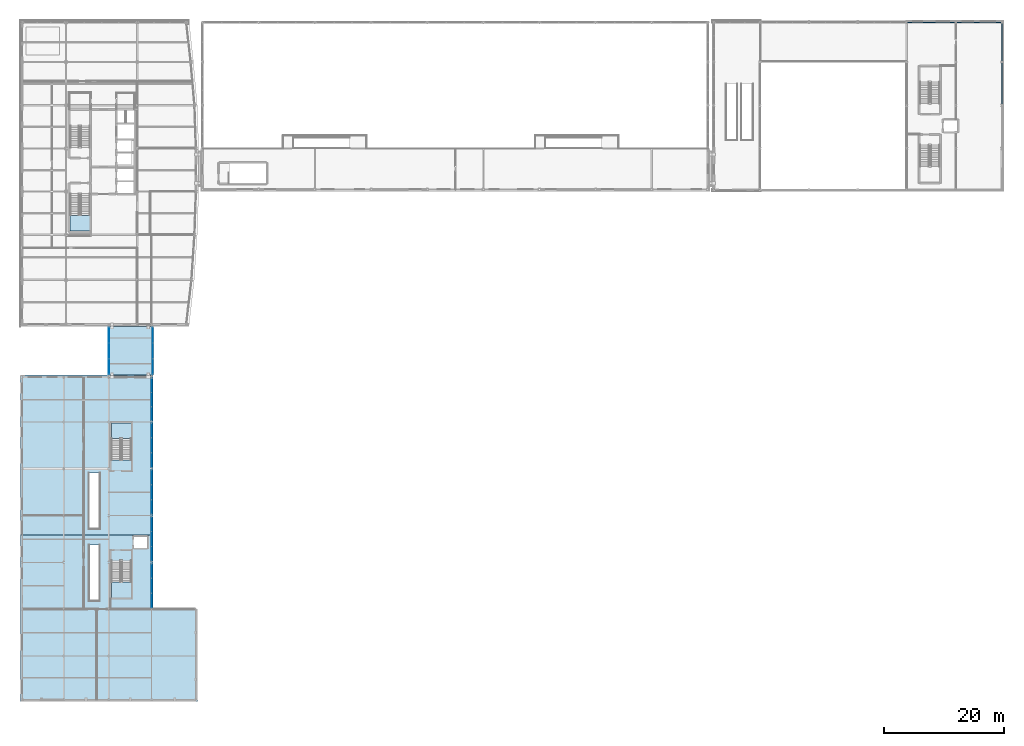
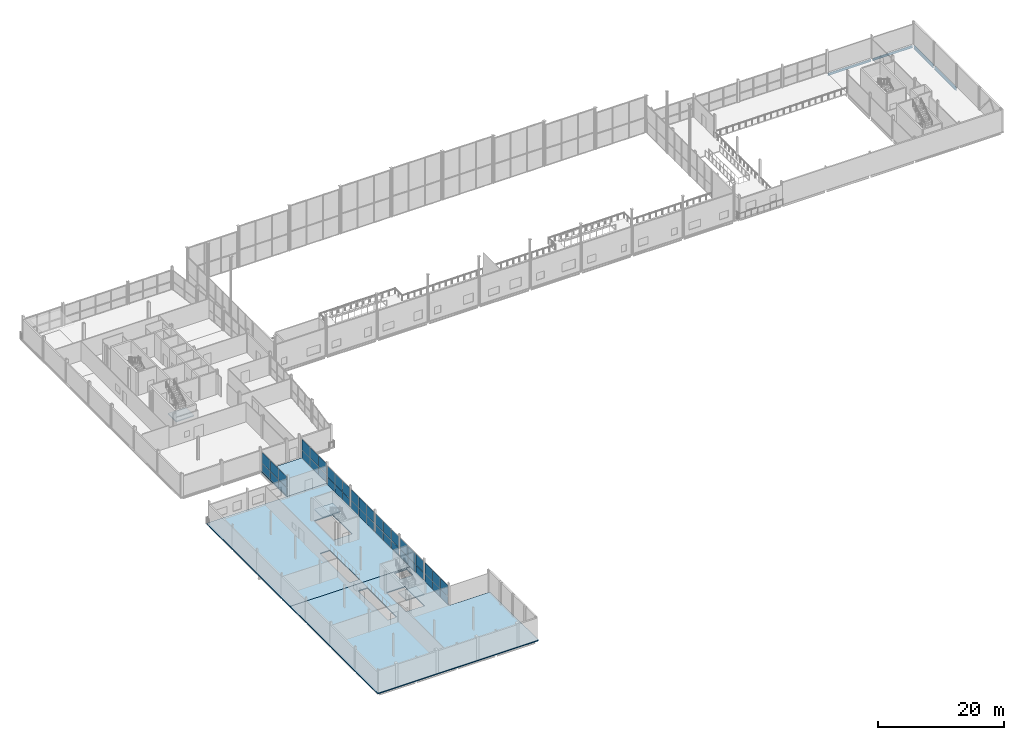
# One storey, part 54 of 77: 42 plates, 6 slabs, 4 beams, 10 elements without a shape of their own.
"""IFC4 building model written with IfcOpenShell, lengths in metres."""

from ifc_helpers import new_model, si_unit, direction, frame, origin, origin_2d, place, context, subcontext, project, spatial, polyline, rectangle, i_section, outline, extrude, material, layer, layer_set, material_profile, profile_set, type_object, element, aggregate, save


model = new_model("IFC4")

# Units and contexts
model_context = context("Model", 3, precision=1e-05, world=origin(), true_north=direction((0.0, 1.0)))
body_context = subcontext(model_context, "Body", "Model", "MODEL_VIEW")
ifc_project = project(units=[si_unit("LENGTHUNIT", "METRE"), si_unit("AREAUNIT", "SQUARE_METRE"), si_unit("VOLUMEUNIT", "CUBIC_METRE"), si_unit("PLANEANGLEUNIT", "RADIAN"), si_unit("MASSUNIT", "GRAM", prefix="KILO")], contexts=[model_context])

# Site, building, storey
site_placement = place(None, origin())
site = spatial("IfcSite", under=ifc_project, at=site_placement, CompositionType="ELEMENT")
building_placement = place(site_placement, origin())
building = spatial("IfcBuilding", under=site, at=building_placement, Name="Quillay Park Conservatory", CompositionType="ELEMENT")
storey_placement = place(building_placement, frame((0.0, 0.0, 5.39990234375)))
storey = spatial("IfcBuildingStorey", under=building, at=storey_placement, Name="L01", CompositionType="ELEMENT", Elevation=5.39990234375)

# Beams
ifc_material_1 = material(Name="Steel ASTM A992 Grade 50", Category="steel")
ifc_material_profile_1 = material_profile(ifc_material_1, i_section(OverallWidth=0.179931640625, OverallDepth=0.4130859375, WebThickness=0.009765625, FlangeThickness=0.01611328125, FilletRadius=0.011962890625, at=origin_2d()), Name="W410x74")
ifc_profile_set_1 = profile_set([ifc_material_profile_1], Name="Steel ASTM A992 Grade 50")
beam_type_1 = type_object("IfcBeamType", Name="PERIMETER SPANDREL BEAM W410 X74", PredefinedType="SPANDREL", material=ifc_profile_set_1)
beam_1_placement = place(storey_placement, frame((148.155029296875, 113.39990234375, -0.41650390625), z_axis=(1.0, 0.0, 0.0), x_axis=(0.0, 1.0, 0.0)))
element("IfcBeam", 1, at=beam_1_placement, inside=storey, type_object=beam_type_1, Name="L01 beam BM-V2P-1709", PredefinedType="SPANDREL", context=body_context, shape_type="SweptSolid", body=[
    extrude(i_section(OverallWidth=0.179931640625, OverallDepth=0.4130859375, WebThickness=0.009765625, FlangeThickness=0.01611328125, FilletRadius=0.011962890625, at=origin_2d()), origin(), (0.0, 0.0, 1.0), 7.889892578125),
])
beam_2_placement = place(storey_placement, frame((156.35498046875, 113.39990234375, -0.41650390625), z_axis=(1.0, 0.0, 0.0), x_axis=(0.0, 1.0, 0.0)))
element("IfcBeam", 2, at=beam_2_placement, inside=storey, type_object=beam_type_1, Name="L01 beam BM-V2P-1710", PredefinedType="SPANDREL", context=body_context, shape_type="SweptSolid", body=[
    extrude(i_section(OverallWidth=0.179931640625, OverallDepth=0.4130859375, WebThickness=0.009765625, FlangeThickness=0.01611328125, FilletRadius=0.011962890625, at=origin_2d()), origin(), (0.0, 0.0, 1.0), 7.340087890625),
])
ifc_material_2 = material(Name="Steel ASTM A992 Grade 50", Category="steel")
ifc_material_profile_2 = material_profile(ifc_material_2, i_section(OverallWidth=0.2109375, OverallDepth=0.5390625, WebThickness=0.01171875, FlangeThickness=0.018798828125, FilletRadius=0.013916015625, at=origin_2d()), Name="W530x109")
ifc_profile_set_2 = profile_set([ifc_material_profile_2], Name="Steel ASTM A992 Grade 50")
beam_type_2 = type_object("IfcBeamType", Name="PRIMARY FLOOR GIRDER W530 X109", PredefinedType="BEAM", material=ifc_profile_set_2)
beam_3_placement = place(storey_placement, frame((163.85009765625, 99.7548828125, -0.4794921875), z_axis=(0.0, 1.0, 0.0), x_axis=(-1.0, 0.0, 0.0)))
element("IfcBeam", 3, at=beam_3_placement, inside=storey, type_object=beam_type_2, Name="L01 beam BM-V2Y-1728", PredefinedType="BEAM", context=body_context, shape_type="SweptSolid", body=[
    extrude(i_section(OverallWidth=0.2109375, OverallDepth=0.5390625, WebThickness=0.01171875, FlangeThickness=0.018798828125, FilletRadius=0.013916015625, at=origin_2d()), origin(), (0.0, 0.0, 1.0), 6.89013671875),
])
beam_4_placement = place(storey_placement, frame((163.85009765625, 106.955078125, -0.4794921875), z_axis=(0.0, 1.0, 0.0), x_axis=(-1.0, 0.0, 0.0)))
element("IfcBeam", 4, at=beam_4_placement, inside=storey, type_object=beam_type_2, Name="L01 beam BM-V2Y-1729", PredefinedType="BEAM", context=body_context, shape_type="SweptSolid", body=[
    extrude(i_section(OverallWidth=0.2109375, OverallDepth=0.5390625, WebThickness=0.01171875, FlangeThickness=0.018798828125, FilletRadius=0.013916015625, at=origin_2d()), origin(), (0.0, 0.0, 1.0), 6.2900390625),
])

# Curtain wall, plates
ifc_material_3 = material(Name="Thermally Broken Anodised Aluminium 6063-T6", Category="aluminium")
ifc_layer_1 = layer(ifc_material_3, 0.1650390625)
ifc_layer_set_1 = layer_set([ifc_layer_1], Name="UNITISED CURTAIN WALL PODIUM (Thermally Broken Anodised Aluminium 6063-T6)")
curtain_wall_type_1 = type_object("IfcCurtainWallType", Name="UNITISED CURTAIN WALL PODIUM", PredefinedType="USERDEFINED", material=ifc_layer_set_1)
curtain_wall_1_placement = place(storey_placement, origin())
curtain_wall_1 = element("IfcCurtainWall", 5, at=curtain_wall_1_placement, inside=storey, type_object=curtain_wall_type_1, Name="L01 Unitised Curtain Wall 200", ObjectType="UNITISED CURTAIN WALL", PredefinedType="USERDEFINED")
ifc_material_4 = material(Name="Low-E Double Glazing (Laminated Tempered)", Category="glass")
ifc_layer_2 = layer(ifc_material_4, 0.028076171875)
ifc_layer_set_2 = layer_set([ifc_layer_2], Name="CURTAIN WALL GLAZED PANEL 28 (Low-E Double Glazing (Laminated Tempered))")
plate_type = type_object("IfcPlateType", Name="CURTAIN WALL GLAZED PANEL 28", PredefinedType="CURTAIN_PANEL", material=ifc_layer_set_2)
plate_1_placement = place(storey_placement, frame((22.14990234375, 21.975830078125, 0.0703125), z_axis=(0.0, 0.0, 1.0), x_axis=(0.0, -1.0, 0.0)))
plate_1 = element("IfcPlate", 6, at=plate_1_placement, type_object=plate_type, Name="CW-P1 panel 1.1", PredefinedType="CURTAIN_PANEL", context=body_context, shape_type="SweptSolid", body=[
    extrude(rectangle(XDim=2.388427734375, YDim=0.028076171875, at=origin_2d()), origin(), (0.0, 0.0, 1.0), 1.509521484375),
])
plate_2_placement = place(storey_placement, frame((22.14990234375, 21.975830078125, 1.649658203125), z_axis=(0.0, 0.0, 1.0), x_axis=(0.0, -1.0, 0.0)))
plate_2 = element("IfcPlate", 7, at=plate_2_placement, type_object=plate_type, Name="CW-P1 panel 1.2", PredefinedType="CURTAIN_PANEL", context=body_context, shape_type="SweptSolid", body=[
    extrude(rectangle(XDim=2.388427734375, YDim=0.028076171875, at=origin_2d()), origin(), (0.0, 0.0, 1.0), 2.12451171875),
])
plate_3_placement = place(storey_placement, frame((22.14990234375, 19.5, 0.0703125), z_axis=(0.0, 0.0, 1.0), x_axis=(0.0, -1.0, 0.0)))
plate_3 = element("IfcPlate", 8, at=plate_3_placement, type_object=plate_type, Name="CW-P1 panel 2.1", PredefinedType="CURTAIN_PANEL", context=body_context, shape_type="SweptSolid", body=[
    extrude(rectangle(XDim=2.42333984375, YDim=0.028076171875, at=origin_2d()), origin(), (0.0, 0.0, 1.0), 1.509521484375),
])
plate_4_placement = place(storey_placement, frame((22.14990234375, 19.5, 1.649658203125), z_axis=(0.0, 0.0, 1.0), x_axis=(0.0, -1.0, 0.0)))
plate_4 = element("IfcPlate", 9, at=plate_4_placement, type_object=plate_type, Name="CW-P1 panel 2.2", PredefinedType="CURTAIN_PANEL", context=body_context, shape_type="SweptSolid", body=[
    extrude(rectangle(XDim=2.42333984375, YDim=0.028076171875, at=origin_2d()), origin(), (0.0, 0.0, 1.0), 2.12451171875),
])
plate_5_placement = place(storey_placement, frame((22.14990234375, 17.024169921875, 0.0703125), z_axis=(0.0, 0.0, 1.0), x_axis=(0.0, -1.0, 0.0)))
plate_5 = element("IfcPlate", 10, at=plate_5_placement, type_object=plate_type, Name="CW-P1 panel 3.1", PredefinedType="CURTAIN_PANEL", context=body_context, shape_type="SweptSolid", body=[
    extrude(rectangle(XDim=2.388427734375, YDim=0.028076171875, at=origin_2d()), origin(), (0.0, 0.0, 1.0), 1.509521484375),
])
plate_6_placement = place(storey_placement, frame((22.14990234375, 17.024169921875, 1.649658203125), z_axis=(0.0, 0.0, 1.0), x_axis=(0.0, -1.0, 0.0)))
plate_6 = element("IfcPlate", 11, at=plate_6_placement, type_object=plate_type, Name="CW-P1 panel 3.2", PredefinedType="CURTAIN_PANEL", context=body_context, shape_type="SweptSolid", body=[
    extrude(rectangle(XDim=2.388427734375, YDim=0.028076171875, at=origin_2d()), origin(), (0.0, 0.0, 1.0), 2.12451171875),
])
aggregate(curtain_wall_1, [plate_1, plate_2, plate_3, plate_4, plate_5, plate_6])

curtain_wall_2_placement = place(storey_placement, origin())
curtain_wall_2 = element("IfcCurtainWall", 12, at=curtain_wall_2_placement, inside=storey, type_object=curtain_wall_type_1, Name="L01 Unitised Curtain Wall 201", ObjectType="UNITISED CURTAIN WALL", PredefinedType="USERDEFINED")
plate_7_placement = place(storey_placement, frame((22.14990234375, 29.77587890625, 0.0703125), z_axis=(0.0, 0.0, 1.0), x_axis=(0.0, -1.0, 0.0)))
plate_7 = element("IfcPlate", 13, at=plate_7_placement, type_object=plate_type, Name="CW-P1 panel 1.1", PredefinedType="CURTAIN_PANEL", context=body_context, shape_type="SweptSolid", body=[
    extrude(rectangle(XDim=2.388427734375, YDim=0.028076171875, at=origin_2d()), origin(), (0.0, 0.0, 1.0), 1.509521484375),
])
plate_8_placement = place(storey_placement, frame((22.14990234375, 29.77587890625, 1.649658203125), z_axis=(0.0, 0.0, 1.0), x_axis=(0.0, -1.0, 0.0)))
plate_8 = element("IfcPlate", 14, at=plate_8_placement, type_object=plate_type, Name="CW-P1 panel 1.2", PredefinedType="CURTAIN_PANEL", context=body_context, shape_type="SweptSolid", body=[
    extrude(rectangle(XDim=2.388427734375, YDim=0.028076171875, at=origin_2d()), origin(), (0.0, 0.0, 1.0), 2.12451171875),
])
plate_9_placement = place(storey_placement, frame((22.14990234375, 27.300048828125, 0.0703125), z_axis=(0.0, 0.0, 1.0), x_axis=(0.0, -1.0, 0.0)))
plate_9 = element("IfcPlate", 15, at=plate_9_placement, type_object=plate_type, Name="CW-P1 panel 2.1", PredefinedType="CURTAIN_PANEL", context=body_context, shape_type="SweptSolid", body=[
    extrude(rectangle(XDim=2.42333984375, YDim=0.028076171875, at=origin_2d()), origin(), (0.0, 0.0, 1.0), 1.509521484375),
])
plate_10_placement = place(storey_placement, frame((22.14990234375, 27.300048828125, 1.649658203125), z_axis=(0.0, 0.0, 1.0), x_axis=(0.0, -1.0, 0.0)))
plate_10 = element("IfcPlate", 16, at=plate_10_placement, type_object=plate_type, Name="CW-P1 panel 2.2", PredefinedType="CURTAIN_PANEL", context=body_context, shape_type="SweptSolid", body=[
    extrude(rectangle(XDim=2.42333984375, YDim=0.028076171875, at=origin_2d()), origin(), (0.0, 0.0, 1.0), 2.12451171875),
])
plate_11_placement = place(storey_placement, frame((22.14990234375, 24.82421875, 0.0703125), z_axis=(0.0, 0.0, 1.0), x_axis=(0.0, -1.0, 0.0)))
plate_11 = element("IfcPlate", 17, at=plate_11_placement, type_object=plate_type, Name="CW-P1 panel 3.1", PredefinedType="CURTAIN_PANEL", context=body_context, shape_type="SweptSolid", body=[
    extrude(rectangle(XDim=2.388427734375, YDim=0.028076171875, at=origin_2d()), origin(), (0.0, 0.0, 1.0), 1.509521484375),
])
plate_12_placement = place(storey_placement, frame((22.14990234375, 24.82421875, 1.649658203125), z_axis=(0.0, 0.0, 1.0), x_axis=(0.0, -1.0, 0.0)))
plate_12 = element("IfcPlate", 18, at=plate_12_placement, type_object=plate_type, Name="CW-P1 panel 3.2", PredefinedType="CURTAIN_PANEL", context=body_context, shape_type="SweptSolid", body=[
    extrude(rectangle(XDim=2.388427734375, YDim=0.028076171875, at=origin_2d()), origin(), (0.0, 0.0, 1.0), 2.12451171875),
])
aggregate(curtain_wall_2, [plate_7, plate_8, plate_9, plate_10, plate_11, plate_12])

curtain_wall_3_placement = place(storey_placement, origin())
curtain_wall_3 = element("IfcCurtainWall", 19, at=curtain_wall_3_placement, inside=storey, type_object=curtain_wall_type_1, Name="L01 Unitised Curtain Wall 202", ObjectType="UNITISED CURTAIN WALL", PredefinedType="USERDEFINED")
plate_13_placement = place(storey_placement, frame((22.14990234375, 37.575927734375, 0.0703125), z_axis=(0.0, 0.0, 1.0), x_axis=(0.0, -1.0, 0.0)))
plate_13 = element("IfcPlate", 20, at=plate_13_placement, type_object=plate_type, Name="CW-P1 panel 1.1", PredefinedType="CURTAIN_PANEL", context=body_context, shape_type="SweptSolid", body=[
    extrude(rectangle(XDim=2.388427734375, YDim=0.028076171875, at=origin_2d()), origin(), (0.0, 0.0, 1.0), 1.509521484375),
])
plate_14_placement = place(storey_placement, frame((22.14990234375, 37.575927734375, 1.649658203125), z_axis=(0.0, 0.0, 1.0), x_axis=(0.0, -1.0, 0.0)))
plate_14 = element("IfcPlate", 21, at=plate_14_placement, type_object=plate_type, Name="CW-P1 panel 1.2", PredefinedType="CURTAIN_PANEL", context=body_context, shape_type="SweptSolid", body=[
    extrude(rectangle(XDim=2.388427734375, YDim=0.028076171875, at=origin_2d()), origin(), (0.0, 0.0, 1.0), 2.12451171875),
])
plate_15_placement = place(storey_placement, frame((22.14990234375, 35.10009765625, 0.0703125), z_axis=(0.0, 0.0, 1.0), x_axis=(0.0, -1.0, 0.0)))
plate_15 = element("IfcPlate", 22, at=plate_15_placement, type_object=plate_type, Name="CW-P1 panel 2.1", PredefinedType="CURTAIN_PANEL", context=body_context, shape_type="SweptSolid", body=[
    extrude(rectangle(XDim=2.42333984375, YDim=0.028076171875, at=origin_2d()), origin(), (0.0, 0.0, 1.0), 1.509521484375),
])
plate_16_placement = place(storey_placement, frame((22.14990234375, 35.10009765625, 1.649658203125), z_axis=(0.0, 0.0, 1.0), x_axis=(0.0, -1.0, 0.0)))
plate_16 = element("IfcPlate", 23, at=plate_16_placement, type_object=plate_type, Name="CW-P1 panel 2.2", PredefinedType="CURTAIN_PANEL", context=body_context, shape_type="SweptSolid", body=[
    extrude(rectangle(XDim=2.42333984375, YDim=0.028076171875, at=origin_2d()), origin(), (0.0, 0.0, 1.0), 2.12451171875),
])
plate_17_placement = place(storey_placement, frame((22.14990234375, 32.624267578125, 0.0703125), z_axis=(0.0, 0.0, 1.0), x_axis=(0.0, -1.0, 0.0)))
plate_17 = element("IfcPlate", 24, at=plate_17_placement, type_object=plate_type, Name="CW-P1 panel 3.1", PredefinedType="CURTAIN_PANEL", context=body_context, shape_type="SweptSolid", body=[
    extrude(rectangle(XDim=2.388427734375, YDim=0.028076171875, at=origin_2d()), origin(), (0.0, 0.0, 1.0), 1.509521484375),
])
plate_18_placement = place(storey_placement, frame((22.14990234375, 32.624267578125, 1.649658203125), z_axis=(0.0, 0.0, 1.0), x_axis=(0.0, -1.0, 0.0)))
plate_18 = element("IfcPlate", 25, at=plate_18_placement, type_object=plate_type, Name="CW-P1 panel 3.2", PredefinedType="CURTAIN_PANEL", context=body_context, shape_type="SweptSolid", body=[
    extrude(rectangle(XDim=2.388427734375, YDim=0.028076171875, at=origin_2d()), origin(), (0.0, 0.0, 1.0), 2.12451171875),
])
aggregate(curtain_wall_3, [plate_13, plate_14, plate_15, plate_16, plate_17, plate_18])

curtain_wall_4_placement = place(storey_placement, origin())
curtain_wall_4 = element("IfcCurtainWall", 26, at=curtain_wall_4_placement, inside=storey, type_object=curtain_wall_type_1, Name="L01 Unitised Curtain Wall 203", ObjectType="UNITISED CURTAIN WALL", PredefinedType="USERDEFINED")
plate_19_placement = place(storey_placement, frame((22.14990234375, 45.375732421875, 0.0703125), z_axis=(0.0, 0.0, 1.0), x_axis=(0.0, -1.0, 0.0)))
plate_19 = element("IfcPlate", 27, at=plate_19_placement, type_object=plate_type, Name="CW-P1 panel 1.1", PredefinedType="CURTAIN_PANEL", context=body_context, shape_type="SweptSolid", body=[
    extrude(rectangle(XDim=2.388427734375, YDim=0.028076171875, at=origin_2d()), origin(), (0.0, 0.0, 1.0), 1.509521484375),
])
plate_20_placement = place(storey_placement, frame((22.14990234375, 45.375732421875, 1.649658203125), z_axis=(0.0, 0.0, 1.0), x_axis=(0.0, -1.0, 0.0)))
plate_20 = element("IfcPlate", 28, at=plate_20_placement, type_object=plate_type, Name="CW-P1 panel 1.2", PredefinedType="CURTAIN_PANEL", context=body_context, shape_type="SweptSolid", body=[
    extrude(rectangle(XDim=2.388427734375, YDim=0.028076171875, at=origin_2d()), origin(), (0.0, 0.0, 1.0), 2.12451171875),
])
plate_21_placement = place(storey_placement, frame((22.14990234375, 42.89990234375, 0.0703125), z_axis=(0.0, 0.0, 1.0), x_axis=(0.0, -1.0, 0.0)))
plate_21 = element("IfcPlate", 29, at=plate_21_placement, type_object=plate_type, Name="CW-P1 panel 2.1", PredefinedType="CURTAIN_PANEL", context=body_context, shape_type="SweptSolid", body=[
    extrude(rectangle(XDim=2.42333984375, YDim=0.028076171875, at=origin_2d()), origin(), (0.0, 0.0, 1.0), 1.509521484375),
])
plate_22_placement = place(storey_placement, frame((22.14990234375, 42.89990234375, 1.649658203125), z_axis=(0.0, 0.0, 1.0), x_axis=(0.0, -1.0, 0.0)))
plate_22 = element("IfcPlate", 30, at=plate_22_placement, type_object=plate_type, Name="CW-P1 panel 2.2", PredefinedType="CURTAIN_PANEL", context=body_context, shape_type="SweptSolid", body=[
    extrude(rectangle(XDim=2.42333984375, YDim=0.028076171875, at=origin_2d()), origin(), (0.0, 0.0, 1.0), 2.12451171875),
])
plate_23_placement = place(storey_placement, frame((22.14990234375, 40.424072265625, 0.0703125), z_axis=(0.0, 0.0, 1.0), x_axis=(0.0, -1.0, 0.0)))
plate_23 = element("IfcPlate", 31, at=plate_23_placement, type_object=plate_type, Name="CW-P1 panel 3.1", PredefinedType="CURTAIN_PANEL", context=body_context, shape_type="SweptSolid", body=[
    extrude(rectangle(XDim=2.388427734375, YDim=0.028076171875, at=origin_2d()), origin(), (0.0, 0.0, 1.0), 1.509521484375),
])
plate_24_placement = place(storey_placement, frame((22.14990234375, 40.424072265625, 1.649658203125), z_axis=(0.0, 0.0, 1.0), x_axis=(0.0, -1.0, 0.0)))
plate_24 = element("IfcPlate", 32, at=plate_24_placement, type_object=plate_type, Name="CW-P1 panel 3.2", PredefinedType="CURTAIN_PANEL", context=body_context, shape_type="SweptSolid", body=[
    extrude(rectangle(XDim=2.388427734375, YDim=0.028076171875, at=origin_2d()), origin(), (0.0, 0.0, 1.0), 2.12451171875),
])
aggregate(curtain_wall_4, [plate_19, plate_20, plate_21, plate_22, plate_23, plate_24])

curtain_wall_5_placement = place(storey_placement, origin())
curtain_wall_5 = element("IfcCurtainWall", 33, at=curtain_wall_5_placement, inside=storey, type_object=curtain_wall_type_1, Name="L01 Unitised Curtain Wall 204", ObjectType="UNITISED CURTAIN WALL", PredefinedType="USERDEFINED")
plate_25_placement = place(storey_placement, frame((22.14990234375, 52.88427734375, 0.0703125), z_axis=(0.0, 0.0, 1.0), x_axis=(0.0, -1.0, 0.0)))
plate_25 = element("IfcPlate", 34, at=plate_25_placement, type_object=plate_type, Name="CW-P1 panel 1.1", PredefinedType="CURTAIN_PANEL", context=body_context, shape_type="SweptSolid", body=[
    extrude(rectangle(XDim=2.271728515625, YDim=0.028076171875, at=origin_2d()), origin(), (0.0, 0.0, 1.0), 1.509521484375),
])
plate_26_placement = place(storey_placement, frame((22.14990234375, 52.88427734375, 1.649658203125), z_axis=(0.0, 0.0, 1.0), x_axis=(0.0, -1.0, 0.0)))
plate_26 = element("IfcPlate", 35, at=plate_26_placement, type_object=plate_type, Name="CW-P1 panel 1.2", PredefinedType="CURTAIN_PANEL", context=body_context, shape_type="SweptSolid", body=[
    extrude(rectangle(XDim=2.271728515625, YDim=0.028076171875, at=origin_2d()), origin(), (0.0, 0.0, 1.0), 2.12451171875),
])
plate_27_placement = place(storey_placement, frame((22.14990234375, 50.52490234375, 0.0703125), z_axis=(0.0, 0.0, 1.0), x_axis=(0.0, -1.0, 0.0)))
plate_27 = element("IfcPlate", 36, at=plate_27_placement, type_object=plate_type, Name="CW-P1 panel 2.1", PredefinedType="CURTAIN_PANEL", context=body_context, shape_type="SweptSolid", body=[
    extrude(rectangle(XDim=2.306640625, YDim=0.028076171875, at=origin_2d()), origin(), (0.0, 0.0, 1.0), 1.509521484375),
])
plate_28_placement = place(storey_placement, frame((22.14990234375, 50.52490234375, 1.649658203125), z_axis=(0.0, 0.0, 1.0), x_axis=(0.0, -1.0, 0.0)))
plate_28 = element("IfcPlate", 37, at=plate_28_placement, type_object=plate_type, Name="CW-P1 panel 2.2", PredefinedType="CURTAIN_PANEL", context=body_context, shape_type="SweptSolid", body=[
    extrude(rectangle(XDim=2.306640625, YDim=0.028076171875, at=origin_2d()), origin(), (0.0, 0.0, 1.0), 2.12451171875),
])
plate_29_placement = place(storey_placement, frame((22.14990234375, 48.165771484375, 0.0703125), z_axis=(0.0, 0.0, 1.0), x_axis=(0.0, -1.0, 0.0)))
plate_29 = element("IfcPlate", 38, at=plate_29_placement, type_object=plate_type, Name="CW-P1 panel 3.1", PredefinedType="CURTAIN_PANEL", context=body_context, shape_type="SweptSolid", body=[
    extrude(rectangle(XDim=2.271728515625, YDim=0.028076171875, at=origin_2d()), origin(), (0.0, 0.0, 1.0), 1.509521484375),
])
plate_30_placement = place(storey_placement, frame((22.14990234375, 48.165771484375, 1.649658203125), z_axis=(0.0, 0.0, 1.0), x_axis=(0.0, -1.0, 0.0)))
plate_30 = element("IfcPlate", 39, at=plate_30_placement, type_object=plate_type, Name="CW-P1 panel 3.2", PredefinedType="CURTAIN_PANEL", context=body_context, shape_type="SweptSolid", body=[
    extrude(rectangle(XDim=2.271728515625, YDim=0.028076171875, at=origin_2d()), origin(), (0.0, 0.0, 1.0), 2.12451171875),
])
aggregate(curtain_wall_5, [plate_25, plate_26, plate_27, plate_28, plate_29, plate_30])

ifc_material_5 = material(Name="Thermally Broken Anodised Aluminium 6063-T6", Category="aluminium")
ifc_layer_3 = layer(ifc_material_5, 0.155029296875)
ifc_layer_set_3 = layer_set([ifc_layer_3], Name="UNITISED CURTAIN WALL BRIDGE (Thermally Broken Anodised Aluminium 6063-T6)")
curtain_wall_type_2 = type_object("IfcCurtainWallType", Name="UNITISED CURTAIN WALL BRIDGE", PredefinedType="USERDEFINED", material=ifc_layer_set_3)
curtain_wall_6_placement = place(storey_placement, origin())
curtain_wall_6 = element("IfcCurtainWall", 40, at=curtain_wall_6_placement, inside=storey, type_object=curtain_wall_type_2, Name="L01 Unitised Curtain Wall 215", ObjectType="UNITISED CURTAIN WALL", PredefinedType="USERDEFINED")
plate_31_placement = place(storey_placement, frame((15.050048828125, 56.0341796875, 0.070068359375), z_axis=(0.0, 0.0, 1.0), x_axis=(0.0, 1.0, 0.0)))
plate_31 = element("IfcPlate", 41, at=plate_31_placement, type_object=plate_type, Name="CW-B1 panel 1.1", PredefinedType="CURTAIN_PANEL", context=body_context, shape_type="SweptSolid", body=[
    extrude(rectangle(XDim=2.5283203125, YDim=0.028076171875, at=origin_2d()), origin(), (0.0, 0.0, 1.0), 1.4990234375),
])
plate_32_placement = place(storey_placement, frame((15.050048828125, 56.0341796875, 1.63916015625), z_axis=(0.0, 0.0, 1.0), x_axis=(0.0, 1.0, 0.0)))
plate_32 = element("IfcPlate", 42, at=plate_32_placement, type_object=plate_type, Name="CW-B1 panel 1.2", PredefinedType="CURTAIN_PANEL", context=body_context, shape_type="SweptSolid", body=[
    extrude(rectangle(XDim=2.5283203125, YDim=0.028076171875, at=origin_2d()), origin(), (0.0, 0.0, 1.0), 2.110107421875),
])
plate_33_placement = place(storey_placement, frame((15.050048828125, 58.64990234375, 0.070068359375), z_axis=(0.0, 0.0, 1.0), x_axis=(0.0, 1.0, 0.0)))
plate_33 = element("IfcPlate", 43, at=plate_33_placement, type_object=plate_type, Name="CW-B1 panel 2.1", PredefinedType="CURTAIN_PANEL", context=body_context, shape_type="SweptSolid", body=[
    extrude(rectangle(XDim=2.563232421875, YDim=0.028076171875, at=origin_2d()), origin(), (0.0, 0.0, 1.0), 1.4990234375),
])
plate_34_placement = place(storey_placement, frame((15.050048828125, 58.64990234375, 1.63916015625), z_axis=(0.0, 0.0, 1.0), x_axis=(0.0, 1.0, 0.0)))
plate_34 = element("IfcPlate", 44, at=plate_34_placement, type_object=plate_type, Name="CW-B1 panel 2.2", PredefinedType="CURTAIN_PANEL", context=body_context, shape_type="SweptSolid", body=[
    extrude(rectangle(XDim=2.563232421875, YDim=0.028076171875, at=origin_2d()), origin(), (0.0, 0.0, 1.0), 2.110107421875),
])
plate_35_placement = place(storey_placement, frame((15.050048828125, 61.265869140625, 0.070068359375), z_axis=(0.0, 0.0, 1.0), x_axis=(0.0, 1.0, 0.0)))
plate_35 = element("IfcPlate", 45, at=plate_35_placement, type_object=plate_type, Name="CW-B1 panel 3.1", PredefinedType="CURTAIN_PANEL", context=body_context, shape_type="SweptSolid", body=[
    extrude(rectangle(XDim=2.5283203125, YDim=0.028076171875, at=origin_2d()), origin(), (0.0, 0.0, 1.0), 1.4990234375),
])
plate_36_placement = place(storey_placement, frame((15.050048828125, 61.265869140625, 1.63916015625), z_axis=(0.0, 0.0, 1.0), x_axis=(0.0, 1.0, 0.0)))
plate_36 = element("IfcPlate", 46, at=plate_36_placement, type_object=plate_type, Name="CW-B1 panel 3.2", PredefinedType="CURTAIN_PANEL", context=body_context, shape_type="SweptSolid", body=[
    extrude(rectangle(XDim=2.5283203125, YDim=0.028076171875, at=origin_2d()), origin(), (0.0, 0.0, 1.0), 2.110107421875),
])
aggregate(curtain_wall_6, [plate_31, plate_32, plate_33, plate_34, plate_35, plate_36])

curtain_wall_7_placement = place(storey_placement, origin())
curtain_wall_7 = element("IfcCurtainWall", 47, at=curtain_wall_7_placement, inside=storey, type_object=curtain_wall_type_2, Name="L01 Unitised Curtain Wall 216", ObjectType="UNITISED CURTAIN WALL", PredefinedType="USERDEFINED")
plate_37_placement = place(storey_placement, frame((22.35009765625, 61.265869140625, 0.070068359375), z_axis=(0.0, 0.0, 1.0), x_axis=(0.0, -1.0, 0.0)))
plate_37 = element("IfcPlate", 48, at=plate_37_placement, type_object=plate_type, Name="CW-B1 panel 1.1", PredefinedType="CURTAIN_PANEL", context=body_context, shape_type="SweptSolid", body=[
    extrude(rectangle(XDim=2.5283203125, YDim=0.028076171875, at=origin_2d()), origin(), (0.0, 0.0, 1.0), 1.4990234375),
])
plate_38_placement = place(storey_placement, frame((22.35009765625, 61.265869140625, 1.63916015625), z_axis=(0.0, 0.0, 1.0), x_axis=(0.0, -1.0, 0.0)))
plate_38 = element("IfcPlate", 49, at=plate_38_placement, type_object=plate_type, Name="CW-B1 panel 1.2", PredefinedType="CURTAIN_PANEL", context=body_context, shape_type="SweptSolid", body=[
    extrude(rectangle(XDim=2.5283203125, YDim=0.028076171875, at=origin_2d()), origin(), (0.0, 0.0, 1.0), 2.110107421875),
])
plate_39_placement = place(storey_placement, frame((22.35009765625, 58.64990234375, 0.070068359375), z_axis=(0.0, 0.0, 1.0), x_axis=(0.0, -1.0, 0.0)))
plate_39 = element("IfcPlate", 50, at=plate_39_placement, type_object=plate_type, Name="CW-B1 panel 2.1", PredefinedType="CURTAIN_PANEL", context=body_context, shape_type="SweptSolid", body=[
    extrude(rectangle(XDim=2.563232421875, YDim=0.028076171875, at=origin_2d()), origin(), (0.0, 0.0, 1.0), 1.4990234375),
])
plate_40_placement = place(storey_placement, frame((22.35009765625, 58.64990234375, 1.63916015625), z_axis=(0.0, 0.0, 1.0), x_axis=(0.0, -1.0, 0.0)))
plate_40 = element("IfcPlate", 51, at=plate_40_placement, type_object=plate_type, Name="CW-B1 panel 2.2", PredefinedType="CURTAIN_PANEL", context=body_context, shape_type="SweptSolid", body=[
    extrude(rectangle(XDim=2.563232421875, YDim=0.028076171875, at=origin_2d()), origin(), (0.0, 0.0, 1.0), 2.110107421875),
])
plate_41_placement = place(storey_placement, frame((22.35009765625, 56.0341796875, 0.070068359375), z_axis=(0.0, 0.0, 1.0), x_axis=(0.0, -1.0, 0.0)))
plate_41 = element("IfcPlate", 52, at=plate_41_placement, type_object=plate_type, Name="CW-B1 panel 3.1", PredefinedType="CURTAIN_PANEL", context=body_context, shape_type="SweptSolid", body=[
    extrude(rectangle(XDim=2.5283203125, YDim=0.028076171875, at=origin_2d()), origin(), (0.0, 0.0, 1.0), 1.4990234375),
])
plate_42_placement = place(storey_placement, frame((22.35009765625, 56.0341796875, 1.63916015625), z_axis=(0.0, 0.0, 1.0), x_axis=(0.0, -1.0, 0.0)))
plate_42 = element("IfcPlate", 53, at=plate_42_placement, type_object=plate_type, Name="CW-B1 panel 3.2", PredefinedType="CURTAIN_PANEL", context=body_context, shape_type="SweptSolid", body=[
    extrude(rectangle(XDim=2.5283203125, YDim=0.028076171875, at=origin_2d()), origin(), (0.0, 0.0, 1.0), 2.110107421875),
])
aggregate(curtain_wall_7, [plate_37, plate_38, plate_39, plate_40, plate_41, plate_42])

# Stair, slab
ifc_material_6 = material(Name="Concrete C35/45 (NCh170 Concrete C35/45)", Category="concrete")
stair_type = type_object("IfcStairType", Name="ENCLOSED DOG LEG STAIR 4500", PredefinedType="HALF_TURN_STAIR", material=ifc_material_6)
stair_1_placement = place(storey_placement, origin())
stair_1 = element("IfcStair", 54, at=stair_1_placement, inside=storey, type_object=stair_type, Name="L01 Tower Protected Exit Stair 2", PredefinedType="HALF_TURN_STAIR")
ifc_material_7 = material(Name="Concrete C35/45 (NCh170 Concrete C35/45)", Category="concrete")
ifc_layer_4 = layer(ifc_material_7, 0.199951171875)
ifc_layer_set_4 = layer_set([ifc_layer_4], Name="STAIR LANDING SLAB 200 (Concrete C35/45 (NCh170 Concrete C35/45))")
slab_type_1 = type_object("IfcSlabType", Name="STAIR LANDING SLAB 200", PredefinedType="LANDING", material=ifc_layer_set_4)
slab_1_placement = place(storey_placement, frame((0.0, 0.0, 2.050048828125)))
slab_1 = element("IfcSlab", 55, at=slab_1_placement, type_object=slab_type_1, Name="ST-T2 landing 1", PredefinedType="LANDING", context=body_context, shape_type="SweptSolid", body=[
    extrude(outline(polyline([(8.550048828125, 81.25), (8.550048828125, 78.64990234375), (11.8701171875, 78.64990234375), (11.8701171875, 81.25), (8.550048828125, 81.25)])), origin(), (0.0, 0.0, 1.0), 0.199951171875),
])
aggregate(stair_1, [slab_1])

stair_2_placement = place(storey_placement, origin())
stair_2 = element("IfcStair", 56, at=stair_2_placement, inside=storey, type_object=stair_type, Name="L01 Visitor Centre Exit Stair 1", PredefinedType="HALF_TURN_STAIR")
slab_2_placement = place(storey_placement, frame((0.0, 0.0, 2.050048828125)))
slab_2 = element("IfcSlab", 57, at=slab_2_placement, type_object=slab_type_1, Name="ST-V1 landing 1", PredefinedType="LANDING", context=body_context, shape_type="SweptSolid", body=[
    extrude(outline(polyline([(15.449951171875, 20.10009765625), (15.449951171875, 17.5), (18.77001953125, 17.5), (18.77001953125, 20.10009765625), (15.449951171875, 20.10009765625)])), origin(), (0.0, 0.0, 1.0), 0.199951171875),
])
aggregate(stair_2, [slab_2])

stair_3_placement = place(storey_placement, origin())
stair_3 = element("IfcStair", 58, at=stair_3_placement, inside=storey, type_object=stair_type, Name="L01 Visitor Centre Exit Stair 2", PredefinedType="HALF_TURN_STAIR")
slab_3_placement = place(storey_placement, frame((0.0, 0.0, 2.050048828125)))
slab_3 = element("IfcSlab", 59, at=slab_3_placement, type_object=slab_type_1, Name="ST-V2 landing 1", PredefinedType="LANDING", context=body_context, shape_type="SweptSolid", body=[
    extrude(outline(polyline([(18.77001953125, 44.050048828125), (18.77001953125, 46.64990234375), (15.449951171875, 46.64990234375), (15.449951171875, 44.050048828125), (18.77001953125, 44.050048828125)])), origin(), (0.0, 0.0, 1.0), 0.199951171875),
])
aggregate(stair_3, [slab_3])

# Slabs
ifc_material_8 = material(Name="Concrete C35/45 (NCh170 Concrete C35/45)", Category="concrete")
ifc_layer_5 = layer(ifc_material_8, 0.18994140625)
ifc_layer_set_5 = layer_set([ifc_layer_5], Name="SUSPENDED FLOOR SLAB 190 (Concrete C35/45 (NCh170 Concrete C35/45))")
slab_type_2 = type_object("IfcSlabType", Name="SUSPENDED FLOOR SLAB 190", PredefinedType="FLOOR", material=ifc_layer_set_5)
slab_4_placement = place(storey_placement, frame((0.0, 0.0, -0.18994140625)))
element("IfcSlab", 60, at=slab_4_placement, inside=storey, type_object=slab_type_2, Name="L01 slab SLB-V3-L01-S", PredefinedType="FLOOR", context=body_context, shape_type="SweptSolid", body=[
    extrude(outline(polyline([(0.25, 0.199951171875), (29.75, 0.199951171875), (29.75, 15.60009765625), (22.39990234375, 15.60009765625), (22.39990234375, 28.0), (0.25, 28.0), (0.25, 0.199951171875)]), holes=[polyline([(15.449951171875, 17.5), (18.77001953125, 17.5), (18.77001953125, 23.669921875), (15.449951171875, 23.669921875), (15.449951171875, 17.5)]), polyline([(11.75, 17.0), (13.449951171875, 17.0), (13.449951171875, 26.320068359375), (11.75, 26.320068359375), (11.75, 17.0)]), polyline([(19.14990234375, 25.800048828125), (21.449951171875, 25.800048828125), (21.449951171875, 27.699951171875), (19.14990234375, 27.699951171875), (19.14990234375, 25.800048828125)])]), origin(), (0.0, 0.0, 1.0), 0.18994140625),
])
slab_5_placement = place(storey_placement, frame((0.0, 0.0, -0.18994140625)))
element("IfcSlab", 61, at=slab_5_placement, inside=storey, type_object=slab_type_2, Name="L01 slab SLB-V3-L01-N", PredefinedType="FLOOR", context=body_context, shape_type="SweptSolid", body=[
    extrude(outline(polyline([(0.25, 28.0), (22.39990234375, 28.0), (22.39990234375, 54.60009765625), (0.25, 54.60009765625), (0.25, 28.0)]), holes=[polyline([(15.449951171875, 40.47998046875), (18.77001953125, 40.47998046875), (18.77001953125, 46.64990234375), (15.449951171875, 46.64990234375), (15.449951171875, 40.47998046875)]), polyline([(11.699951171875, 29.0), (13.5, 29.0), (13.5, 38.320068359375), (11.699951171875, 38.320068359375), (11.699951171875, 29.0)])]), origin(), (0.0, 0.0, 1.0), 0.18994140625),
])
ifc_material_9 = material(Name="Concrete C35/45 (NCh170 Concrete C35/45)", Category="concrete")
ifc_layer_6 = layer(ifc_material_9, 0.219970703125)
ifc_layer_set_6 = layer_set([ifc_layer_6], Name="SUSPENDED FLOOR SLAB 220 (Concrete C35/45 (NCh170 Concrete C35/45))")
slab_type_3 = type_object("IfcSlabType", Name="SUSPENDED FLOOR SLAB 220", PredefinedType="FLOOR", material=ifc_layer_set_6)
slab_6_placement = place(storey_placement, frame((0.0, 0.0, -0.219970703125)))
element("IfcSlab", 62, at=slab_6_placement, inside=storey, type_object=slab_type_3, Name="L01 Seismic Link Bridge LB-1 Floor Slab", PredefinedType="FLOOR", context=body_context, shape_type="SweptSolid", body=[
    extrude(outline(polyline([(15.0, 54.60009765625), (22.39990234375, 54.60009765625), (22.39990234375, 62.699951171875), (15.0, 62.699951171875), (15.0, 54.60009765625)])), origin(), (0.0, 0.0, 1.0), 0.219970703125),
])

save(model, "model.ifc")
